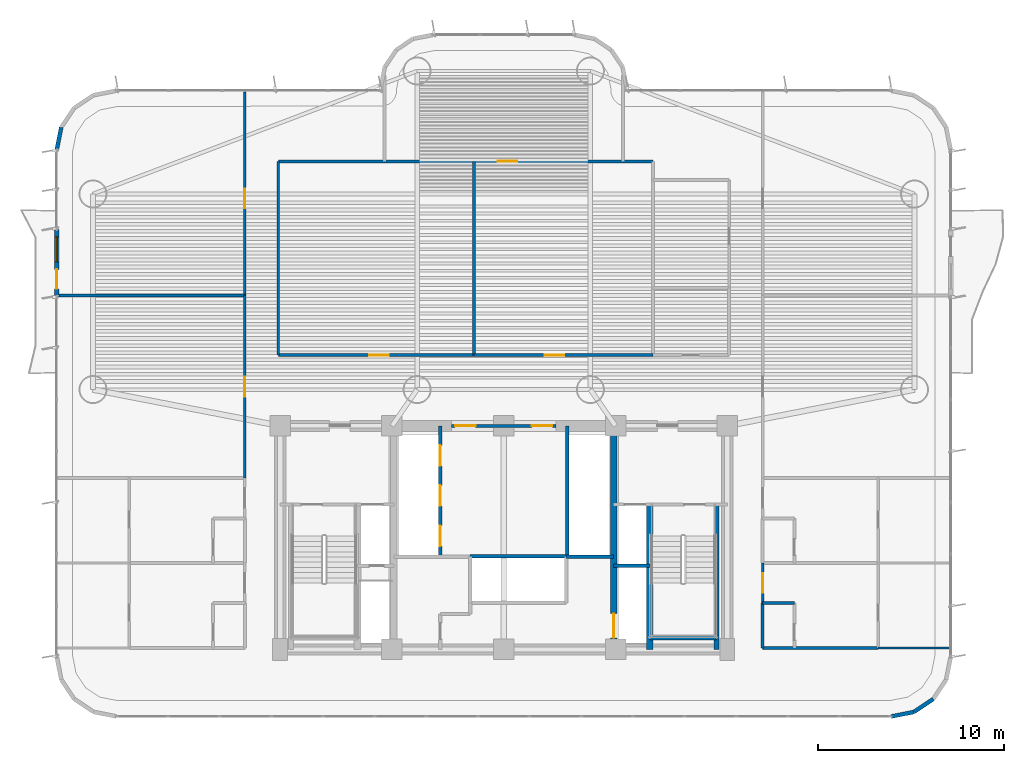
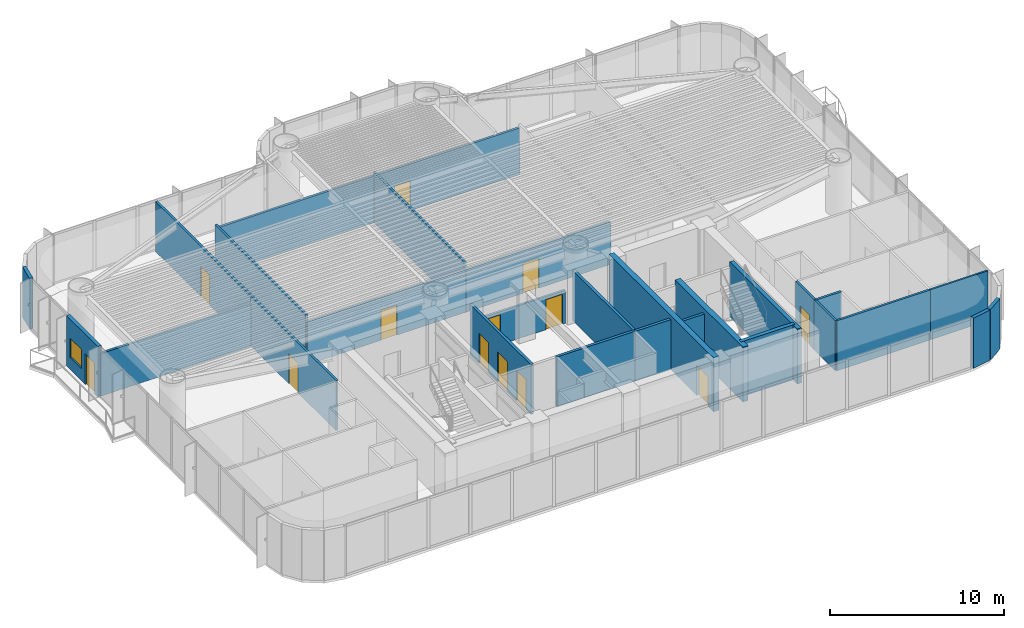
# One storey, part 11 of 17: 27 walls, 13 doors, 1 window, 14 openings.
"""IFC4 building model written with IfcOpenShell, lengths in metres."""

from ifc_helpers import new_model, si_unit, direction, frame, frame_2d, origin, origin_2d, place, context, subcontext, project, spatial, rectangle, extrude, source, transform, mapped, material, layer, layer_set, type_object, element, fill, save


model = new_model("IFC4")

# Units and contexts
model_context = context("Model", 3, precision=1e-05, world=origin(), true_north=direction((0.0, 1.0)))
body_context = subcontext(model_context, "Body", "Model", "MODEL_VIEW")
ifc_project = project(units=[si_unit("LENGTHUNIT", "METRE"), si_unit("AREAUNIT", "SQUARE_METRE"), si_unit("VOLUMEUNIT", "CUBIC_METRE"), si_unit("PLANEANGLEUNIT", "RADIAN"), si_unit("MASSUNIT", "GRAM", prefix="KILO")], contexts=[model_context])

# Site, building, storey
site_placement = place(None, origin())
site = spatial("IfcSite", under=ifc_project, at=site_placement, CompositionType="ELEMENT")
building_placement = place(site_placement, origin())
building = spatial("IfcBuilding", under=site, at=building_placement, Name="Brelvock Crest Care Tower", CompositionType="ELEMENT")
storey_placement = place(building_placement, frame((0.0, 0.0, 53.4599609375)))
storey = spatial("IfcBuildingStorey", under=building, at=storey_placement, Name="L13", CompositionType="ELEMENT", Elevation=53.4599609375)

# Wall, opening, door
ifc_material_1 = material(Name="Concrete S80 (80 MPa)", Category="concrete")
ifc_layer_1 = layer(ifc_material_1, 0.35009765625, Name="WL-CS5")
ifc_layer_set_1 = layer_set([ifc_layer_1], Name="Concrete S80 (80 MPa)")
wall_type_1 = type_object("IfcWallType", Name="WL-CS5", PredefinedType="SHEAR", material=ifc_layer_set_1)
wall_1_placement = place(storey_placement, frame((41.89990234375, 18.0, 0.0), z_axis=(0.0, 0.0, 1.0), x_axis=(0.0, -1.0, 0.0)))
wall_1 = element("IfcWall", 1, at=wall_1_placement, inside=storey, type_object=wall_type_1, Name="L13 Core Internal Web Wall East", PredefinedType="SHEAR", context=body_context, shape_type="SweptSolid", body=[
    extrude(rectangle(XDim=12.0, YDim=0.35009765625, at=frame_2d((6.0, 0.0))), origin(), (0.0, 0.0, 1.0), 3.780029296875),
])
opening_1_placement = place(wall_1_placement, frame((10.080078125, 0.0, 0.0)))
opening_1 = element("IfcOpeningElement", 2, at=opening_1_placement, cuts=wall_1, Name="Opening LD-S", PredefinedType="OPENING", context=body_context, shape_type="SweptSolid", body=[
    extrude(rectangle(XDim=1.300048828125, YDim=2.10009765625, at=origin_2d()), frame((0.64990234375, 0.18505859375, 1.050048828125), z_axis=(0.0, -1.0, 0.0), x_axis=(1.0, 0.0, 0.0)), (0.0, 0.0, 1.0), 0.3701171875),
])
ifc_material_2 = material(Name="Steel Grade 350", Category="steel")
door_type_1 = type_object("IfcDoorType", Name="DR-LDS1", OperationType="NOTDEFINED", PredefinedType="DOOR", material=ifc_material_2)
shared_shape_1 = source(origin(), body_context, "Body", "SweptSolid", [
    extrude(rectangle(XDim=1.300048828125, YDim=2.10009765625, at=origin_2d()), frame((0.64990234375, 0.02490234375, 1.050048828125), z_axis=(0.0, -1.0, 0.0), x_axis=(1.0, 0.0, 0.0)), (0.0, 0.0, 1.0), 0.050048828125),
])
door_1_placement = place(opening_1_placement, origin())
door_1 = element("IfcDoor", 3, at=door_1_placement, inside=storey, type_object=door_type_1, Name="L13 Clinical Bed Lift SL-1 Landing Door", OperationType="SLIDING_TO_LEFT", OverallHeight=2.10009765625, OverallWidth=1.300048828125, PredefinedType="DOOR", context=body_context, shape_type="MappedRepresentation", body=[
    mapped(shared_shape_1, transform((0.0, 0.0, 0.0), x_axis=(1.0, 0.0, 0.0), y_axis=(0.0, 1.0, 0.0), z_axis=(0.0, 0.0, 1.0), scale=1.0)),
])
fill(opening_1, door_1)

# Walls
wall_2_placement = place(storey_placement, frame((43.85009765625, 6.0, 0.0), z_axis=(0.0, 0.0, 1.0), x_axis=(0.0, 1.0, 0.0)))
element("IfcWall", 4, at=wall_2_placement, inside=storey, type_object=wall_type_1, Name="L13 Core Stair ST-2 West Shear Wall", PredefinedType="SHEAR", context=body_context, shape_type="SweptSolid", body=[
    extrude(rectangle(XDim=7.780029296875, YDim=0.35009765625, at=frame_2d((3.89013671875, 0.0))), origin(), (0.0, 0.0, 1.0), 3.85009765625),
])
ifc_layer_2 = layer(ifc_material_1, 0.25, Name="WL-CS6")
ifc_layer_set_2 = layer_set([ifc_layer_2], Name="Concrete S80 (80 MPa)")
wall_type_2 = type_object("IfcWallType", Name="WL-CS6", PredefinedType="SHEAR", material=ifc_layer_set_2)
wall_3_placement = place(storey_placement, frame((47.419921875, 6.0, 0.0), z_axis=(0.0, 0.0, 1.0), x_axis=(0.0, 1.0, 0.0)))
element("IfcWall", 5, at=wall_3_placement, inside=storey, type_object=wall_type_2, Name="L13 Core Stair ST-2 East Shear Wall", PredefinedType="SHEAR", context=body_context, shape_type="SweptSolid", body=[
    extrude(rectangle(XDim=7.780029296875, YDim=0.25, at=frame_2d((3.89013671875, 0.0))), origin(), (0.0, 0.0, 1.0), 3.85009765625),
])
wall_4_placement = place(storey_placement, frame((43.85009765625, 6.6201171875, 0.0), z_axis=(0.0, 0.0, 1.0), x_axis=(1.0, 0.0, 0.0)))
element("IfcWall", 6, at=wall_4_placement, inside=storey, type_object=wall_type_2, Name="L13 Core Stair ST-2 South Shear Wall", PredefinedType="SHEAR", context=body_context, shape_type="SweptSolid", body=[
    extrude(rectangle(XDim=3.56982421875, YDim=0.25, at=frame_2d((1.784912109375, 0.0))), origin(), (0.0, 0.0, 1.0), 3.85009765625),
])

# Wall, openings, door, window
ifc_material_3 = material(Name="Precast concrete N40 (40 MPa)", Category="concrete")
ifc_layer_3 = layer(ifc_material_3, 0.239990234375, Name="WL-EX1")
ifc_layer_set_3 = layer_set([ifc_layer_3], Name="Precast concrete N40 (40 MPa)")
wall_type_3 = type_object("IfcWallType", Name="WL-EX1", PredefinedType="SOLIDWALL", material=ifc_layer_set_3)
wall_5_placement = place(storey_placement, frame((12.0, 24.949951171875, 0.0), z_axis=(0.0, 0.0, 1.0), x_axis=(0.0, 1.0, 0.0)))
wall_5 = element("IfcWall", 7, at=wall_5_placement, inside=storey, type_object=wall_type_3, Name="L13 Exterior Spandrel Wall WL-BAL-L13-W", PredefinedType="SOLIDWALL", context=body_context, shape_type="SweptSolid", body=[
    extrude(rectangle(XDim=3.60009765625, YDim=0.239990234375, at=frame_2d((1.800048828125, 0.0))), origin(), (0.0, 0.0, 1.0), 3.530029296875),
])
opening_2_placement = place(wall_5_placement, frame((0.39990234375, 0.0, 0.0)))
opening_2 = element("IfcOpeningElement", 8, at=opening_2_placement, cuts=wall_5, Name="Opening BD-1", PredefinedType="OPENING", context=body_context, shape_type="SweptSolid", body=[
    extrude(rectangle(XDim=1.050048828125, YDim=2.14990234375, at=origin_2d()), frame((0.52490234375, 0.1298828125, 1.074951171875), z_axis=(0.0, -1.0, 0.0), x_axis=(1.0, 0.0, 0.0)), (0.0, 0.0, 1.0), 0.260009765625),
])
opening_3_placement = place(wall_5_placement, frame((1.85009765625, 0.0, 0.85009765625)))
opening_3 = element("IfcOpeningElement", 9, at=opening_3_placement, cuts=wall_5, Name="Opening W-01", PredefinedType="OPENING", context=body_context, shape_type="SweptSolid", body=[
    extrude(rectangle(XDim=1.35009765625, YDim=1.35009765625, at=origin_2d()), frame((0.675048828125, 0.1298828125, 0.675048828125), z_axis=(0.0, -1.0, 0.0), x_axis=(1.0, 0.0, 0.0)), (0.0, 0.0, 1.0), 0.260009765625),
])
ifc_material_4 = material(Name="Dark Glass Double Glazed Low-E", Category="glass")
door_type_2 = type_object("IfcDoorType", Name="DR-BAL1", OperationType="NOTDEFINED", PredefinedType="DOOR", material=ifc_material_4)
shared_shape_2 = source(origin(), body_context, "Body", "SweptSolid", [
    extrude(rectangle(XDim=1.050048828125, YDim=2.14990234375, at=origin_2d()), frame((0.52490234375, 0.02490234375, 1.074951171875), z_axis=(0.0, -1.0, 0.0), x_axis=(1.0, 0.0, 0.0)), (0.0, 0.0, 1.0), 0.050048828125),
])
door_2_placement = place(opening_2_placement, origin())
door_2 = element("IfcDoor", 10, at=door_2_placement, inside=storey, type_object=door_type_2, Name="L13 W Wave Balcony Glazed Door", OperationType="SINGLE_SWING_LEFT", OverallHeight=2.14990234375, OverallWidth=1.050048828125, PredefinedType="DOOR", context=body_context, shape_type="MappedRepresentation", body=[
    mapped(shared_shape_2, transform((0.0, 0.0, 0.0), x_axis=(1.0, 0.0, 0.0), y_axis=(0.0, 1.0, 0.0), z_axis=(0.0, 0.0, 1.0), scale=1.0)),
])
fill(opening_2, door_2)
window_type = type_object("IfcWindowType", Name="WN-EX1", PartitioningType="SINGLE_PANEL", PredefinedType="WINDOW", material=ifc_material_4)
shared_shape_3 = source(origin(), body_context, "Body", "SweptSolid", [
    extrude(rectangle(XDim=1.35009765625, YDim=1.35009765625, at=origin_2d()), frame((0.675048828125, 0.030029296875, 0.675048828125), z_axis=(0.0, -1.0, 0.0), x_axis=(1.0, 0.0, 0.0)), (0.0, 0.0, 1.0), 0.06005859375),
])
window_placement = place(opening_3_placement, origin())
window = element("IfcWindow", 11, at=window_placement, inside=storey, type_object=window_type, Name="L13 W Suite Casement Window", OverallHeight=1.35009765625, OverallWidth=1.35009765625, PartitioningType="SINGLE_PANEL", PredefinedType="WINDOW", context=body_context, shape_type="MappedRepresentation", body=[
    mapped(shared_shape_3, transform((0.0, 0.0, 0.0), x_axis=(1.0, 0.0, 0.0), y_axis=(0.0, 1.0, 0.0), z_axis=(0.0, 0.0, 1.0), scale=1.0)),
])
fill(opening_3, window)

# Walls
ifc_layer_4 = layer(ifc_material_3, 0.215087890625, Name="WL-EX2")
ifc_layer_set_4 = layer_set([ifc_layer_4], Name="Precast concrete N40 (40 MPa)")
wall_type_4 = type_object("IfcWallType", Name="WL-EX2", PredefinedType="SOLIDWALL", material=ifc_layer_set_4)
for number, where, z_axis, x_axis, name in (
    (12, (59.062744140625, 3.33740234375, 0.0), (0.0, 0.0, 1.0), (-0.831387912822, -0.555692485475, 0.0), "L13 Rounded Corner Wall 06"),
    (13, (58.024658203125, 2.6435546875, 0.0), (0.0, 0.0, 1.0), (-0.980775717779, -0.195138390419, 0.0), "L13 Rounded Corner Wall 07"),
    (14, (12.0, 32.800048828125, 0.0), (0.0, 0.0, 1.0), (0.195138390419, 0.980775717779, 0.0), "L13 Rounded Corner Wall 14"),
):
    element("IfcWall", number, at=place(storey_placement, frame(where, z_axis=z_axis, x_axis=x_axis)), inside=storey, type_object=wall_type_4, Name=name, PredefinedType="SOLIDWALL", context=body_context, shape_type="SweptSolid", body=[
        extrude(rectangle(XDim=1.24853515625, YDim=0.215087890625, at=frame_2d((0.624267578125, 0.0))), origin(), (0.0, 0.0, 1.0), 3.530029296875),
    ])

# Wall, openings, doors
ifc_material_5 = material(Name="Masonry Blockwork Acoustic Partition", Category="masonry")
ifc_layer_5 = layer(ifc_material_5, 0.14990234375, Name="WL-INT1")
ifc_layer_set_5 = layer_set([ifc_layer_5], Name="Masonry Blockwork Acoustic Partition")
wall_type_5 = type_object("IfcWallType", Name="WL-INT1", PredefinedType="PARTITIONING", material=ifc_layer_set_5)
wall_6_placement = place(storey_placement, frame((33.199951171875, 18.0, 0.0), z_axis=(0.0, 0.0, 1.0), x_axis=(1.0, 0.0, 0.0)))
wall_6 = element("IfcWall", 15, at=wall_6_placement, inside=storey, type_object=wall_type_5, Name="L13 Interior Wall WL-CORE-NPORT-L13", PredefinedType="PARTITIONING", context=body_context, shape_type="SweptSolid", body=[
    extrude(rectangle(XDim=5.60009765625, YDim=0.14990234375, at=frame_2d((2.800048828125, 0.0))), origin(), (0.0, 0.0, 1.0), 2.31494140625),
])
opening_4_placement = place(wall_6_placement, frame((0.18994140625, 0.0, 0.0)))
opening_4 = element("IfcOpeningElement", 16, at=opening_4_placement, cuts=wall_6, Name="Opening FD-1", PredefinedType="OPENING", context=body_context, shape_type="SweptSolid", body=[
    extrude(rectangle(XDim=1.10009765625, YDim=2.10009765625, at=origin_2d()), frame((0.550048828125, 0.0849609375, 1.050048828125), z_axis=(0.0, -1.0, 0.0), x_axis=(1.0, 0.0, 0.0)), (0.0, 0.0, 1.0), 0.169921875),
])
opening_5_placement = place(wall_6_placement, frame((4.31005859375, 0.0, 0.0)))
opening_5 = element("IfcOpeningElement", 17, at=opening_5_placement, cuts=wall_6, Name="Opening FD-1", PredefinedType="OPENING", context=body_context, shape_type="SweptSolid", body=[
    extrude(rectangle(XDim=1.10009765625, YDim=2.10009765625, at=origin_2d()), frame((0.550048828125, 0.0849609375, 1.050048828125), z_axis=(0.0, -1.0, 0.0), x_axis=(1.0, 0.0, 0.0)), (0.0, 0.0, 1.0), 0.169921875),
])
door_type_3 = type_object("IfcDoorType", Name="DR-FFL1", OperationType="NOTDEFINED", PredefinedType="DOOR", material=ifc_material_2)
shared_shape_4 = source(origin(), body_context, "Body", "SweptSolid", [
    extrude(rectangle(XDim=1.10009765625, YDim=2.10009765625, at=origin_2d()), frame((0.550048828125, 0.02490234375, 1.050048828125), z_axis=(0.0, -1.0, 0.0), x_axis=(1.0, 0.0, 0.0)), (0.0, 0.0, 1.0), 0.050048828125),
])
door_3_placement = place(opening_4_placement, origin())
door_3 = element("IfcDoor", 18, at=door_3_placement, inside=storey, type_object=door_type_3, Name="L13 Lift Lobby North Smoke Door West", OperationType="SINGLE_SWING_LEFT", OverallHeight=2.10009765625, OverallWidth=1.10009765625, PredefinedType="DOOR", context=body_context, shape_type="MappedRepresentation", body=[
    mapped(shared_shape_4, transform((0.0, 0.0, 0.0), x_axis=(1.0, 0.0, 0.0), y_axis=(0.0, 1.0, 0.0), z_axis=(0.0, 0.0, 1.0), scale=1.0)),
])
fill(opening_4, door_3)
door_4_placement = place(opening_5_placement, origin())
door_4 = element("IfcDoor", 19, at=door_4_placement, inside=storey, type_object=door_type_3, Name="L13 Lift Lobby North Smoke Door East", OperationType="SINGLE_SWING_RIGHT", OverallHeight=2.10009765625, OverallWidth=1.10009765625, PredefinedType="DOOR", context=body_context, shape_type="MappedRepresentation", body=[
    mapped(shared_shape_4, transform((0.0, 0.0, 0.0), x_axis=(1.0, 0.0, 0.0), y_axis=(0.0, 1.0, 0.0), z_axis=(0.0, 0.0, 1.0), scale=1.0)),
])
fill(opening_5, door_4)

# Wall
wall_7_placement = place(storey_placement, frame((49.89990234375, 6.080078125, 0.0), z_axis=(0.0, 0.0, 1.0), x_axis=(1.0, 0.0, 0.0)))
element("IfcWall", 20, at=wall_7_placement, inside=storey, type_object=wall_type_5, Name="L13 Interior Wall WL-BX-L13-CS-ER1A-S", PredefinedType="PARTITIONING", context=body_context, shape_type="SweptSolid", body=[
    extrude(rectangle(XDim=6.2001953125, YDim=0.14990234375, at=frame_2d((3.10009765625, 0.0))), origin(), (0.0, 0.0, 1.0), 3.5),
])

# Wall, opening, door
wall_8_placement = place(storey_placement, frame((23.89990234375, 21.800048828125, 0.0), z_axis=(0.0, 0.0, 1.0), x_axis=(1.0, 0.0, 0.0)))
wall_8 = element("IfcWall", 21, at=wall_8_placement, inside=storey, type_object=wall_type_5, Name="L13 Interior Wall WL-RM-L13-CNW", PredefinedType="PARTITIONING", context=body_context, shape_type="SweptSolid", body=[
    extrude(rectangle(XDim=10.5, YDim=0.14990234375, at=frame_2d((5.25, 0.0))), origin(), (0.0, 0.0, 1.0), 2.98193359375),
])
opening_6_placement = place(wall_8_placement, frame((4.875, 0.0, 0.0)))
opening_6 = element("IfcOpeningElement", 22, at=opening_6_placement, cuts=wall_8, Name="Opening CLD-1", PredefinedType="OPENING", context=body_context, shape_type="SweptSolid", body=[
    extrude(rectangle(XDim=1.050048828125, YDim=2.10009765625, at=origin_2d()), frame((0.52490234375, 0.0849609375, 1.050048828125), z_axis=(0.0, -1.0, 0.0), x_axis=(1.0, 0.0, 0.0)), (0.0, 0.0, 1.0), 0.169921875),
])
ifc_material_6 = material(Name="Engineered Hardwood Timber", Category="wood")
door_type_4 = type_object("IfcDoorType", Name="DR-CLN1", OperationType="NOTDEFINED", PredefinedType="DOOR", material=ifc_material_6)
shared_shape_5 = source(origin(), body_context, "Body", "SweptSolid", [
    extrude(rectangle(XDim=1.050048828125, YDim=2.10009765625, at=origin_2d()), frame((0.52490234375, 0.02490234375, 1.050048828125), z_axis=(0.0, -1.0, 0.0), x_axis=(1.0, 0.0, 0.0)), (0.0, 0.0, 1.0), 0.050048828125),
])
door_5_placement = place(opening_6_placement, origin())
door_5 = element("IfcDoor", 23, at=door_5_placement, inside=storey, type_object=door_type_4, Name="L13 Communal Dining Conservatory Door CNW", OperationType="SINGLE_SWING_LEFT", OverallHeight=2.10009765625, OverallWidth=1.050048828125, PredefinedType="DOOR", context=body_context, shape_type="MappedRepresentation", body=[
    mapped(shared_shape_5, transform((0.0, 0.0, 0.0), x_axis=(1.0, 0.0, 0.0), y_axis=(0.0, 1.0, 0.0), z_axis=(0.0, 0.0, 1.0), scale=1.0)),
])
fill(opening_6, door_5)

wall_9_placement = place(storey_placement, frame((34.39990234375, 21.800048828125, 0.0), z_axis=(0.0, 0.0, 1.0), x_axis=(1.0, 0.0, 0.0)))
wall_9 = element("IfcWall", 24, at=wall_9_placement, inside=storey, type_object=wall_type_5, Name="L13 Interior Wall WL-RM-L13-CNE", PredefinedType="PARTITIONING", context=body_context, shape_type="SweptSolid", body=[
    extrude(rectangle(XDim=9.60009765625, YDim=0.14990234375, at=frame_2d((4.800048828125, 0.0))), origin(), (0.0, 0.0, 1.0), 2.98193359375),
])
opening_7_placement = place(wall_9_placement, frame((3.794921875, 0.0, 0.0)))
opening_7 = element("IfcOpeningElement", 25, at=opening_7_placement, cuts=wall_9, Name="Opening CLD-1", PredefinedType="OPENING", context=body_context, shape_type="SweptSolid", body=[
    extrude(rectangle(XDim=1.050048828125, YDim=2.10009765625, at=origin_2d()), frame((0.52490234375, 0.0849609375, 1.050048828125), z_axis=(0.0, -1.0, 0.0), x_axis=(1.0, 0.0, 0.0)), (0.0, 0.0, 1.0), 0.169921875),
])
door_6_placement = place(opening_7_placement, origin())
door_6 = element("IfcDoor", 26, at=door_6_placement, inside=storey, type_object=door_type_4, Name="L13 Geriatric Nurse Consultation Hub Door CNE", OperationType="SINGLE_SWING_LEFT", OverallHeight=2.10009765625, OverallWidth=1.050048828125, PredefinedType="DOOR", context=body_context, shape_type="MappedRepresentation", body=[
    mapped(shared_shape_5, transform((0.0, 0.0, 0.0), x_axis=(1.0, 0.0, 0.0), y_axis=(0.0, 1.0, 0.0), z_axis=(0.0, 0.0, 1.0), scale=1.0)),
])
fill(opening_7, door_6)

# Wall
wall_10_placement = place(storey_placement, frame((12.080078125, 25.0, 0.0), z_axis=(0.0, 0.0, 1.0), x_axis=(1.0, 0.0, 0.0)))
element("IfcWall", 27, at=wall_10_placement, inside=storey, type_object=wall_type_5, Name="L13 Interior Wall WL-BX-L13-WCL2-N", PredefinedType="PARTITIONING", context=body_context, shape_type="SweptSolid", body=[
    extrude(rectangle(XDim=10.02001953125, YDim=0.14990234375, at=frame_2d((5.010009765625, 0.0))), origin(), (0.0, 0.0, 1.0), 2.98193359375),
])

# Wall, opening, door
wall_11_placement = place(storey_placement, frame((23.89990234375, 32.199951171875, 0.0), z_axis=(0.0, 0.0, 1.0), x_axis=(1.0, 0.0, 0.0)))
wall_11 = element("IfcWall", 28, at=wall_11_placement, inside=storey, type_object=wall_type_5, Name="L13 Interior Wall WL-RM-L13-NHUB", PredefinedType="PARTITIONING", context=body_context, shape_type="SweptSolid", body=[
    extrude(rectangle(XDim=20.10009765625, YDim=0.14990234375, at=frame_2d((10.050048828125, 0.0))), origin(), (0.0, 0.0, 1.0), 3.259033203125),
])
opening_8_placement = place(wall_11_placement, frame((11.77490234375, 0.0, 0.0)))
opening_8 = element("IfcOpeningElement", 29, at=opening_8_placement, cuts=wall_11, Name="Opening CLD-1", PredefinedType="OPENING", context=body_context, shape_type="SweptSolid", body=[
    extrude(rectangle(XDim=1.050048828125, YDim=2.10009765625, at=origin_2d()), frame((0.52490234375, 0.0849609375, 1.050048828125), z_axis=(0.0, -1.0, 0.0), x_axis=(1.0, 0.0, 0.0)), (0.0, 0.0, 1.0), 0.169921875),
])
door_7_placement = place(opening_8_placement, origin())
door_7 = element("IfcDoor", 30, at=door_7_placement, inside=storey, type_object=door_type_4, Name="L13 Harbour Wintergarden Lounge Door NHUB", OperationType="SINGLE_SWING_LEFT", OverallHeight=2.10009765625, OverallWidth=1.050048828125, PredefinedType="DOOR", context=body_context, shape_type="MappedRepresentation", body=[
    mapped(shared_shape_5, transform((0.0, 0.0, 0.0), x_axis=(1.0, 0.0, 0.0), y_axis=(0.0, 1.0, 0.0), z_axis=(0.0, 0.0, 1.0), scale=1.0)),
])
fill(opening_8, door_7)

wall_12_placement = place(storey_placement, frame((22.10009765625, 15.199951171875, 0.0), z_axis=(0.0, 0.0, 1.0), x_axis=(0.0, 1.0, 0.0)))
wall_12 = element("IfcWall", 31, at=wall_12_placement, inside=storey, type_object=wall_type_5, Name="L13 Interior Wall WL-RM-L13-WCL2", PredefinedType="PARTITIONING", context=body_context, shape_type="SweptSolid", body=[
    extrude(rectangle(XDim=9.800048828125, YDim=0.14990234375, at=frame_2d((4.89990234375, 0.0))), origin(), (0.0, 0.0, 1.0), 3.5),
])
opening_9_placement = place(wall_12_placement, frame((4.375, 0.0, 0.0)))
opening_9 = element("IfcOpeningElement", 32, at=opening_9_placement, cuts=wall_12, Name="Opening CLD-1", PredefinedType="OPENING", context=body_context, shape_type="SweptSolid", body=[
    extrude(rectangle(XDim=1.050048828125, YDim=2.10009765625, at=origin_2d()), frame((0.52490234375, 0.0849609375, 1.050048828125), z_axis=(0.0, -1.0, 0.0), x_axis=(1.0, 0.0, 0.0)), (0.0, 0.0, 1.0), 0.169921875),
])
door_8_placement = place(opening_9_placement, origin())
door_8 = element("IfcDoor", 33, at=door_8_placement, inside=storey, type_object=door_type_4, Name="L13 Physiotherapy Assessment Clinic Door WCL2", OperationType="SINGLE_SWING_LEFT", OverallHeight=2.10009765625, OverallWidth=1.050048828125, PredefinedType="DOOR", context=body_context, shape_type="MappedRepresentation", body=[
    mapped(shared_shape_5, transform((0.0, 0.0, 0.0), x_axis=(1.0, 0.0, 0.0), y_axis=(0.0, 1.0, 0.0), z_axis=(0.0, 0.0, 1.0), scale=1.0)),
])
fill(opening_9, door_8)

wall_13_placement = place(storey_placement, frame((22.10009765625, 25.0, 0.0), z_axis=(0.0, 0.0, 1.0), x_axis=(0.0, 1.0, 0.0)))
wall_13 = element("IfcWall", 34, at=wall_13_placement, inside=storey, type_object=wall_type_5, Name="L13 Interior Wall WL-RM-L13-WCL3", PredefinedType="PARTITIONING", context=body_context, shape_type="SweptSolid", body=[
    extrude(rectangle(XDim=10.920654296875, YDim=0.14990234375, at=frame_2d((5.46044921875, 0.0))), origin(), (0.0, 0.0, 1.0), 3.5),
])
opening_10_placement = place(wall_13_placement, frame((4.675048828125, 0.0, 0.0)))
opening_10 = element("IfcOpeningElement", 35, at=opening_10_placement, cuts=wall_13, Name="Opening CLD-1", PredefinedType="OPENING", context=body_context, shape_type="SweptSolid", body=[
    extrude(rectangle(XDim=1.050048828125, YDim=2.10009765625, at=origin_2d()), frame((0.52490234375, 0.0849609375, 1.050048828125), z_axis=(0.0, -1.0, 0.0), x_axis=(1.0, 0.0, 0.0)), (0.0, 0.0, 1.0), 0.169921875),
])
door_9_placement = place(opening_10_placement, origin())
door_9 = element("IfcDoor", 36, at=door_9_placement, inside=storey, type_object=door_type_4, Name="L13 Physiotherapy Assessment Clinic Door WCL3", OperationType="SINGLE_SWING_LEFT", OverallHeight=2.10009765625, OverallWidth=1.050048828125, PredefinedType="DOOR", context=body_context, shape_type="MappedRepresentation", body=[
    mapped(shared_shape_5, transform((0.0, 0.0, 0.0), x_axis=(1.0, 0.0, 0.0), y_axis=(0.0, 1.0, 0.0), z_axis=(0.0, 0.0, 1.0), scale=1.0)),
])
fill(opening_10, door_9)

# Walls
for number, where, z_axis, x_axis, name in (
    (37, (23.89990234375, 21.800048828125, 0.0), (0.0, 0.0, 1.0), (0.0, 1.0, 0.0), "L13 Interior Wall WL-BX-L13-CNW-W"),
    (38, (34.39990234375, 21.800048828125, 0.0), (0.0, 0.0, 1.0), (0.0, 1.0, 0.0), "L13 Interior Wall WL-BX-L13-CNE-W"),
):
    element("IfcWall", number, at=place(storey_placement, frame(where, z_axis=z_axis, x_axis=x_axis)), inside=storey, type_object=wall_type_5, Name=name, PredefinedType="PARTITIONING", context=body_context, shape_type="SweptSolid", body=[
        extrude(rectangle(XDim=10.39990234375, YDim=0.14990234375, at=frame_2d((5.199951171875, 0.0))), origin(), (0.0, 0.0, 1.0), 3.5),
    ])

# Wall, opening, door
wall_14_placement = place(storey_placement, frame((49.89990234375, 8.47998046875, 0.0), z_axis=(0.0, 0.0, 1.0), x_axis=(0.0, 1.0, 0.0)))
wall_14 = element("IfcWall", 39, at=wall_14_placement, inside=storey, type_object=wall_type_5, Name="L13 Interior Wall WL-CENT-L13-ER1A", PredefinedType="PARTITIONING", context=body_context, shape_type="SweptSolid", body=[
    extrude(rectangle(XDim=2.159912109375, YDim=0.14990234375, at=frame_2d((1.080078125, 0.0))), origin(), (0.0, 0.0, 1.0), 3.5),
])
opening_11_placement = place(wall_14_placement, frame((0.56005859375, 0.0, 0.0)))
opening_11 = element("IfcOpeningElement", 40, at=opening_11_placement, cuts=wall_14, Name="Opening CD-1", PredefinedType="OPENING", context=body_context, shape_type="SweptSolid", body=[
    extrude(rectangle(XDim=1.050048828125, YDim=2.10009765625, at=origin_2d()), frame((0.52490234375, 0.0849609375, 1.050048828125), z_axis=(0.0, -1.0, 0.0), x_axis=(1.0, 0.0, 0.0)), (0.0, 0.0, 1.0), 0.169921875),
])
door_type_5 = type_object("IfcDoorType", Name="DR-CARE1", OperationType="NOTDEFINED", PredefinedType="DOOR", material=ifc_material_6)
shared_shape_6 = source(origin(), body_context, "Body", "SweptSolid", [
    extrude(rectangle(XDim=1.050048828125, YDim=2.10009765625, at=origin_2d()), frame((0.52490234375, 0.02490234375, 1.050048828125), z_axis=(0.0, -1.0, 0.0), x_axis=(1.0, 0.0, 0.0)), (0.0, 0.0, 1.0), 0.050048828125),
])
door_10_placement = place(opening_11_placement, origin())
door_10 = element("IfcDoor", 41, at=door_10_placement, inside=storey, type_object=door_type_5, Name="L13 Care Suite Door ER1A", OperationType="SINGLE_SWING_LEFT", OverallHeight=2.10009765625, OverallWidth=1.050048828125, PredefinedType="DOOR", context=body_context, shape_type="MappedRepresentation", body=[
    mapped(shared_shape_6, transform((0.0, 0.0, 0.0), x_axis=(1.0, 0.0, 0.0), y_axis=(0.0, 1.0, 0.0), z_axis=(0.0, 0.0, 1.0), scale=1.0)),
])
fill(opening_11, door_10)

# Walls
ifc_material_7 = material(Name="Gypsum Plasterboard Partition", Category="gypsum")
ifc_layer_6 = layer(ifc_material_7, 0.1201171875, Name="WL-INT2")
ifc_layer_set_6 = layer_set([ifc_layer_6], Name="Gypsum Plasterboard Partition")
wall_type_6 = type_object("IfcWallType", Name="WL-INT2", PredefinedType="PARTITIONING", material=ifc_layer_set_6)
wall_15_placement = place(storey_placement, frame((56.10009765625, 6.080078125, 0.0), z_axis=(0.0, 0.0, 1.0), x_axis=(1.0, 0.0, 0.0)))
element("IfcWall", 42, at=wall_15_placement, inside=storey, type_object=wall_type_6, Name="L13 Interior Wall WL-BX-L13-ER1AS-S", PredefinedType="PARTITIONING", context=body_context, shape_type="SweptSolid", body=[
    extrude(rectangle(XDim=3.81982421875, YDim=0.1201171875, at=frame_2d((1.909912109375, 0.0))), origin(), (0.0, 0.0, 1.0), 3.5),
])
ifc_layer_7 = layer(ifc_material_7, 0.159912109375, Name="WL-PLM1")
ifc_layer_set_7 = layer_set([ifc_layer_7], Name="Gypsum Plasterboard Partition")
wall_type_7 = type_object("IfcWallType", Name="WL-PLM1", PredefinedType="PLUMBINGWALL", material=ifc_layer_set_7)
wall_16_placement = place(storey_placement, frame((49.89990234375, 8.47998046875, 0.0), z_axis=(0.0, 0.0, 1.0), x_axis=(1.0, 0.0, 0.0)))
element("IfcWall", 43, at=wall_16_placement, inside=storey, type_object=wall_type_7, Name="L13 Interior Wall WL-CENS2-L13-ER1A", PredefinedType="PLUMBINGWALL", context=body_context, shape_type="SweptSolid", body=[
    extrude(rectangle(XDim=1.7001953125, YDim=0.159912109375, at=frame_2d((0.85009765625, 0.0))), origin(), (0.0, 0.0, 1.0), 3.5),
])
wall_17_placement = place(storey_placement, frame((49.89990234375, 6.080078125, 0.0), z_axis=(0.0, 0.0, 1.0), x_axis=(0.0, 1.0, 0.0)))
element("IfcWall", 44, at=wall_17_placement, inside=storey, type_object=wall_type_7, Name="L13 Interior Wall WL-CENS0-L13-ER1A", PredefinedType="PLUMBINGWALL", context=body_context, shape_type="SweptSolid", body=[
    extrude(rectangle(XDim=2.39990234375, YDim=0.159912109375, at=frame_2d((1.199951171875, 0.0))), origin(), (0.0, 0.0, 1.0), 3.5),
])
ifc_layer_8 = layer(ifc_material_5, 0.179931640625, Name="WL-SHF1")
ifc_layer_set_8 = layer_set([ifc_layer_8], Name="Masonry Blockwork Acoustic Partition")
wall_type_8 = type_object("IfcWallType", Name="WL-SHF1", PredefinedType="PARTITIONING", material=ifc_layer_set_8)
wall_18_placement = place(storey_placement, frame((34.199951171875, 11.0, 0.0), z_axis=(0.0, 0.0, 1.0), x_axis=(1.0, 0.0, 0.0)))
element("IfcWall", 45, at=wall_18_placement, inside=storey, type_object=wall_type_8, Name="L13 Interior Wall WL-PLM-SHF-L13", PredefinedType="PARTITIONING", context=body_context, shape_type="SweptSolid", body=[
    extrude(rectangle(XDim=5.150146484375, YDim=0.179931640625, at=frame_2d((2.5751953125, 0.0))), origin(), (0.0, 0.0, 1.0), 3.5),
])
wall_19_placement = place(storey_placement, frame((39.39990234375, 11.0, 0.0), z_axis=(0.0, 0.0, 1.0), x_axis=(0.0, 1.0, 0.0)))
element("IfcWall", 46, at=wall_19_placement, inside=storey, type_object=wall_type_8, Name="L13 Interior Wall WL-PLH-SHF-L13", PredefinedType="PARTITIONING", context=body_context, shape_type="SweptSolid", body=[
    extrude(rectangle(XDim=7.0, YDim=0.179931640625, at=frame_2d((3.5, 0.0))), origin(), (0.0, 0.0, 1.0), 3.5),
])
wall_20_placement = place(storey_placement, frame((39.35009765625, 10.97998046875, 0.0), z_axis=(0.0, 0.0, 1.0), x_axis=(1.0, 0.0, 0.0)))
element("IfcWall", 47, at=wall_20_placement, inside=storey, type_object=wall_type_8, Name="L13 Interior Wall WL-CSBE-N-L13", PredefinedType="PARTITIONING", context=body_context, shape_type="SweptSolid", body=[
    extrude(rectangle(XDim=2.5498046875, YDim=0.179931640625, at=frame_2d((1.27490234375, 0.0))), origin(), (0.0, 0.0, 1.0), 3.5),
])
wall_21_placement = place(storey_placement, frame((41.89990234375, 10.5, 0.0), z_axis=(0.0, 0.0, 1.0), x_axis=(1.0, 0.0, 0.0)))
element("IfcWall", 48, at=wall_21_placement, inside=storey, type_object=wall_type_8, Name="L13 Interior Wall WL-FFH2-S-L13", PredefinedType="PARTITIONING", context=body_context, shape_type="SweptSolid", body=[
    extrude(rectangle(XDim=1.9501953125, YDim=0.179931640625, at=frame_2d((0.97509765625, 0.0))), origin(), (0.0, 0.0, 1.0), 3.5),
])

# Wall, openings, doors
wall_22_placement = place(storey_placement, frame((32.60009765625, 11.0, 0.0), z_axis=(0.0, 0.0, 1.0), x_axis=(0.0, 1.0, 0.0)))
wall_22 = element("IfcWall", 49, at=wall_22_placement, inside=storey, type_object=wall_type_8, Name="L13 Interior Wall WL-PLL-BANK-L13", PredefinedType="PARTITIONING", context=body_context, shape_type="SweptSolid", body=[
    extrude(rectangle(XDim=7.0, YDim=0.179931640625, at=frame_2d((3.5, 0.0))), origin(), (0.0, 0.0, 1.0), 3.5),
])
opening_12_placement = place(wall_22_placement, frame((0.550048828125, 0.0, 0.0)))
opening_12 = element("IfcOpeningElement", 50, at=opening_12_placement, cuts=wall_22, Name="Opening LD", PredefinedType="OPENING", context=body_context, shape_type="SweptSolid", body=[
    extrude(rectangle(XDim=1.10009765625, YDim=2.10009765625, at=origin_2d()), frame((0.550048828125, 0.10009765625, 1.050048828125), z_axis=(0.0, -1.0, 0.0), x_axis=(1.0, 0.0, 0.0)), (0.0, 0.0, 1.0), 0.199951171875),
])
opening_13_placement = place(wall_22_placement, frame((2.699951171875, 0.0, 0.0)))
opening_13 = element("IfcOpeningElement", 51, at=opening_13_placement, cuts=wall_22, Name="Opening LD", PredefinedType="OPENING", context=body_context, shape_type="SweptSolid", body=[
    extrude(rectangle(XDim=1.10009765625, YDim=2.10009765625, at=origin_2d()), frame((0.550048828125, 0.10009765625, 1.050048828125), z_axis=(0.0, -1.0, 0.0), x_axis=(1.0, 0.0, 0.0)), (0.0, 0.0, 1.0), 0.199951171875),
])
opening_14_placement = place(wall_22_placement, frame((4.85009765625, 0.0, 0.0)))
opening_14 = element("IfcOpeningElement", 52, at=opening_14_placement, cuts=wall_22, Name="Opening LD", PredefinedType="OPENING", context=body_context, shape_type="SweptSolid", body=[
    extrude(rectangle(XDim=1.10009765625, YDim=2.10009765625, at=origin_2d()), frame((0.550048828125, 0.10009765625, 1.050048828125), z_axis=(0.0, -1.0, 0.0), x_axis=(1.0, 0.0, 0.0)), (0.0, 0.0, 1.0), 0.199951171875),
])
door_type_6 = type_object("IfcDoorType", Name="DR-LD1", OperationType="NOTDEFINED", PredefinedType="DOOR", material=ifc_material_2)
shared_shape_7 = source(origin(), body_context, "Body", "SweptSolid", [
    extrude(rectangle(XDim=1.10009765625, YDim=2.10009765625, at=origin_2d()), frame((0.550048828125, 0.02490234375, 1.050048828125), z_axis=(0.0, -1.0, 0.0), x_axis=(1.0, 0.0, 0.0)), (0.0, 0.0, 1.0), 0.050048828125),
])
door_11_placement = place(opening_12_placement, origin())
door_11 = element("IfcDoor", 53, at=door_11_placement, inside=storey, type_object=door_type_6, Name="L13 Lift PL-L1 Landing Door", OperationType="SLIDING_TO_LEFT", OverallHeight=2.10009765625, OverallWidth=1.10009765625, PredefinedType="DOOR", context=body_context, shape_type="MappedRepresentation", body=[
    mapped(shared_shape_7, transform((0.0, 0.0, 0.0), x_axis=(1.0, 0.0, 0.0), y_axis=(0.0, 1.0, 0.0), z_axis=(0.0, 0.0, 1.0), scale=1.0)),
])
fill(opening_12, door_11)
door_12_placement = place(opening_13_placement, origin())
door_12 = element("IfcDoor", 54, at=door_12_placement, inside=storey, type_object=door_type_6, Name="L13 Lift PL-L2 Landing Door", OperationType="SLIDING_TO_LEFT", OverallHeight=2.10009765625, OverallWidth=1.10009765625, PredefinedType="DOOR", context=body_context, shape_type="MappedRepresentation", body=[
    mapped(shared_shape_7, transform((0.0, 0.0, 0.0), x_axis=(1.0, 0.0, 0.0), y_axis=(0.0, 1.0, 0.0), z_axis=(0.0, 0.0, 1.0), scale=1.0)),
])
fill(opening_13, door_12)
door_13_placement = place(opening_14_placement, origin())
door_13 = element("IfcDoor", 55, at=door_13_placement, inside=storey, type_object=door_type_6, Name="L13 Lift PL-L3 Landing Door", OperationType="SLIDING_TO_LEFT", OverallHeight=2.10009765625, OverallWidth=1.10009765625, PredefinedType="DOOR", context=body_context, shape_type="MappedRepresentation", body=[
    mapped(shared_shape_7, transform((0.0, 0.0, 0.0), x_axis=(1.0, 0.0, 0.0), y_axis=(0.0, 1.0, 0.0), z_axis=(0.0, 0.0, 1.0), scale=1.0)),
])
fill(opening_14, door_13)

save(model, "model.ifc")
